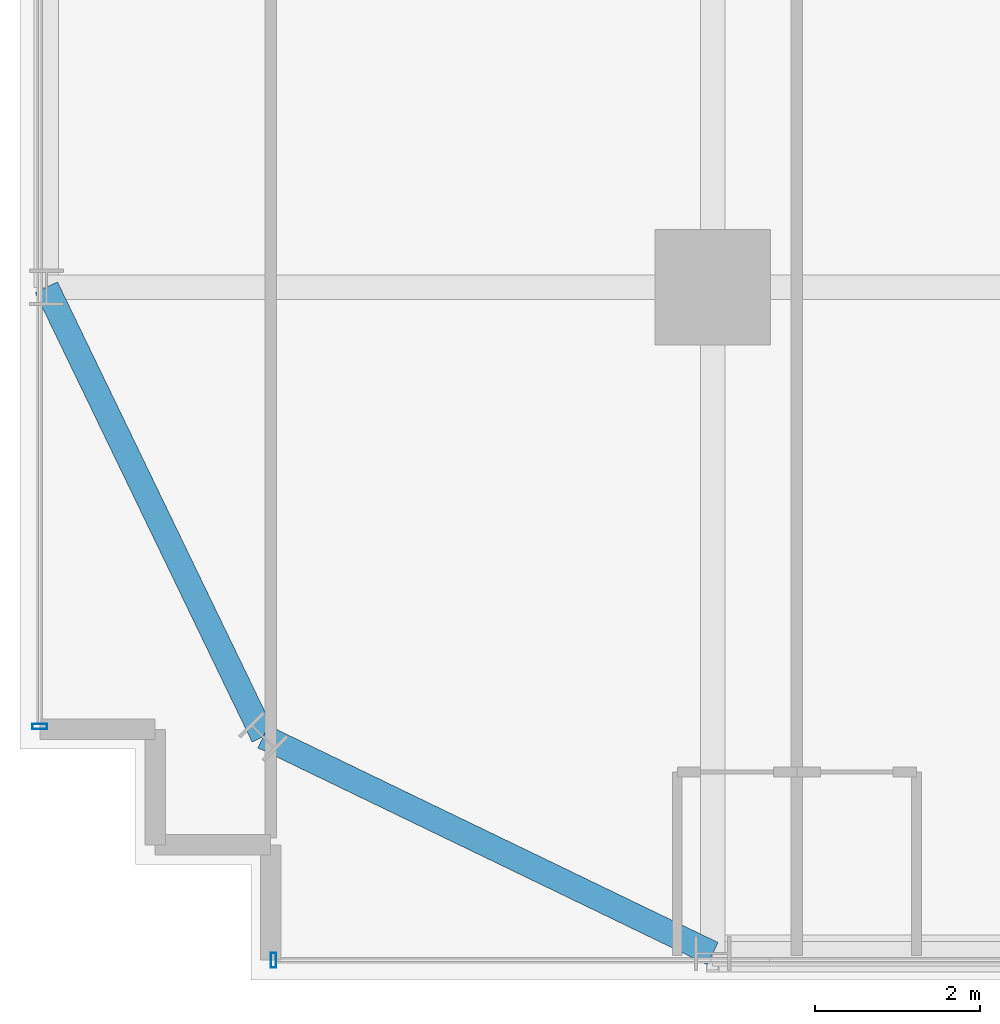
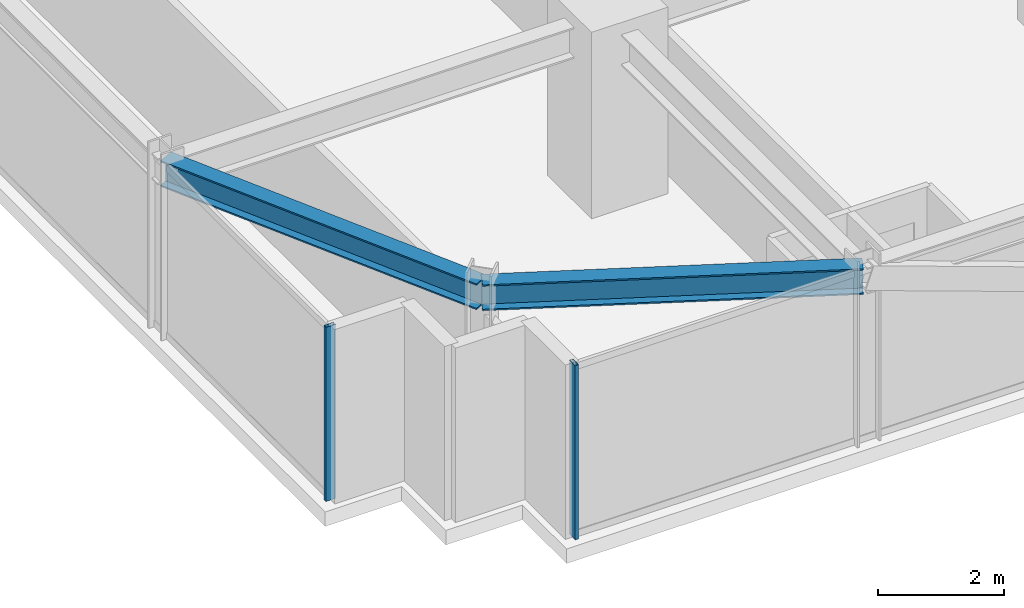
# One storey, part 3 of 35: 2 beams, 2 members, 2 elements without a shape of their own.
"""IFC4 building model written with IfcOpenShell, lengths in metres."""

from ifc_helpers import new_model, si_unit, direction, frame, origin, origin_2d, place, context, subcontext, project, spatial, hollow_rectangle, i_section, extrude, source, transform, mapped, material, material_profile, profile_set, type_object, element, aggregate, save


model = new_model("IFC4")

# Units and contexts
model_context = context("Model", 3, precision=1e-05, world=origin(), true_north=direction((0.0, 1.0)))
body_context = subcontext(model_context, "Body", "Model", "MODEL_VIEW")
ifc_project = project(units=[si_unit("LENGTHUNIT", "METRE"), si_unit("AREAUNIT", "SQUARE_METRE"), si_unit("VOLUMEUNIT", "CUBIC_METRE"), si_unit("PLANEANGLEUNIT", "RADIAN"), si_unit("MASSUNIT", "GRAM", prefix="KILO")], contexts=[model_context])

# Site, building, storey
site_placement = place(None, origin())
site = spatial("IfcSite", under=ifc_project, at=site_placement, CompositionType="ELEMENT")
building_placement = place(site_placement, origin())
building = spatial("IfcBuilding", under=site, at=building_placement, Name="Nahalor Promenade Grand Hotel", CompositionType="ELEMENT")
storey_placement = place(building_placement, frame((0.0, 0.0, 39.699951171875)))
storey = spatial("IfcBuildingStorey", under=building, at=storey_placement, Name="L08", CompositionType="ELEMENT", Elevation=39.699951171875)

# Beams
ifc_material_1 = material(Name="Steel S355JR", Category="steel")
ifc_material_profile_1 = material_profile(ifc_material_1, i_section(OverallWidth=0.3, OverallDepth=0.5, WebThickness=0.0145, FlangeThickness=0.028, at=origin_2d()), Name="HEB 500")
ifc_profile_set_1 = profile_set([ifc_material_profile_1], Name="Steel S355JR")
beam_type = type_object("IfcBeamType", Name="Beam-Spandrel-HEB500", PredefinedType="SPANDREL", material=ifc_profile_set_1)
shared_shape_1 = source(origin(), body_context, "Body", "SweptSolid", [
    extrude(i_section(OverallWidth=0.3, OverallDepth=0.5, WebThickness=0.0145, FlangeThickness=0.028, at=origin_2d()), origin(), (0.0, 0.0, 1.0), 6.051513671875),
])
for number, where, z_axis, x_axis, name in (
    (1, (-17.0, -25.080078125, 3.1201171875), (-0.900608818852, 0.434630596492, 0.0), (-0.434630596492, -0.900608818852, 0.0), "BM-L08-SPC-SW-1"),
    (2, (-22.449951171875, -22.449951171875, 3.1201171875), (-0.434630596492, 0.900608818852, 0.0), (-0.900608818852, -0.434630596492, 0.0), "BM-L08-SPC-SW-2"),
):
    element("IfcBeam", number, at=place(storey_placement, frame(where, z_axis=z_axis, x_axis=x_axis)), inside=storey, type_object=beam_type, Name=name, PredefinedType="SPANDREL", context=body_context, shape_type="MappedRepresentation", body=[
        mapped(shared_shape_1, transform((0.0, 0.0, 0.0), scale=1.0)),
    ])

# Curtain wall, member
ifc_material_2 = material(Name="Anodised Bronze Aluminium EN AW-6063 T6", Category="aluminium")
curtain_wall_type = type_object("IfcCurtainWallType", Name="CW2 Typical Hotel Flush Bronze Unitised Curtain Wall", PredefinedType="USERDEFINED", material=ifc_material_2)
curtain_wall_1_placement = place(storey_placement, origin())
curtain_wall_1 = element("IfcCurtainWall", 3, at=curtain_wall_1_placement, inside=storey, type_object=curtain_wall_type, Name="L08 Curtain Wall CW-L08-S-1", ObjectType="UNITISED_CURTAIN_WALL", PredefinedType="USERDEFINED")
ifc_material_profile_2 = material_profile(ifc_material_2, hollow_rectangle(XDim=0.065, YDim=0.18, WallThickness=0.004, at=origin_2d()), Name="CWM 65x180x4")
ifc_profile_set_2 = profile_set([ifc_material_profile_2], Name="Anodised Bronze Aluminium EN AW-6063 T6")
member_type = type_object("IfcMemberType", Name="CWM2 Typical Bronze Mullion 65x180", PredefinedType="MULLION", material=ifc_profile_set_2)
shared_shape_2 = source(origin(), body_context, "Body", "SweptSolid", [
    extrude(hollow_rectangle(XDim=0.065, YDim=0.18, WallThickness=0.004, at=origin_2d()), origin(), (0.0, 0.0, 1.0), 3.3701171875),
])
member_1_placement = place(storey_placement, frame((-22.327392578125, -25.159912109375, 0.0), z_axis=(0.0, 0.0, 1.0), x_axis=(1.0, 0.0, 0.0)))
member_1 = element("IfcMember", 4, at=member_1_placement, type_object=member_type, Name="CW-L08-S-1 Mullion 0", PredefinedType="MULLION", context=body_context, shape_type="MappedRepresentation", body=[
    mapped(shared_shape_2, transform((0.0, 0.0, 0.0), scale=1.0)),
])
aggregate(curtain_wall_1, [member_1])

curtain_wall_2_placement = place(storey_placement, origin())
curtain_wall_2 = element("IfcCurtainWall", 5, at=curtain_wall_2_placement, inside=storey, type_object=curtain_wall_type, Name="L08 Curtain Wall CW-L08-W-1", ObjectType="UNITISED_CURTAIN_WALL", PredefinedType="USERDEFINED")
member_2_placement = place(storey_placement, frame((-25.159912109375, -22.327392578125, 0.0), z_axis=(0.0, 0.0, 1.0), x_axis=(0.0, 1.0, 0.0)))
member_2 = element("IfcMember", 6, at=member_2_placement, type_object=member_type, Name="CW-L08-W-1 Mullion 0", PredefinedType="MULLION", context=body_context, shape_type="MappedRepresentation", body=[
    mapped(shared_shape_2, transform((0.0, 0.0, 0.0), scale=1.0)),
])
aggregate(curtain_wall_2, [member_2])

save(model, "model.ifc")
